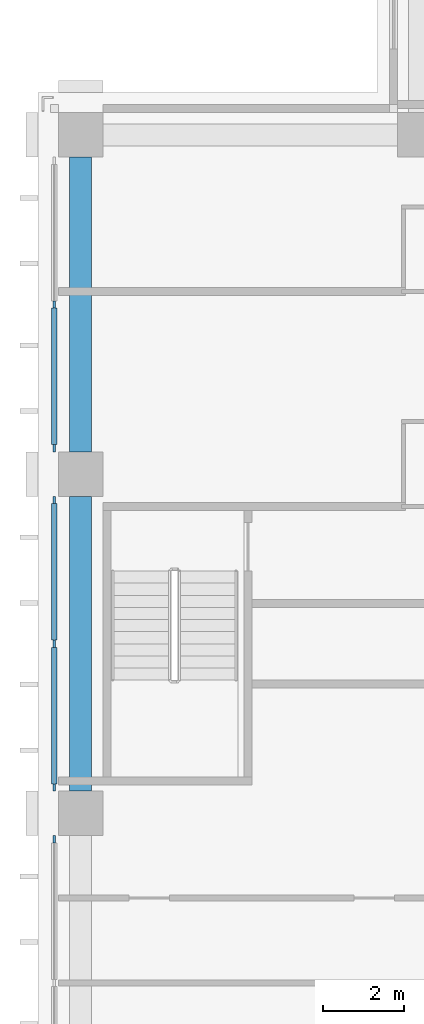
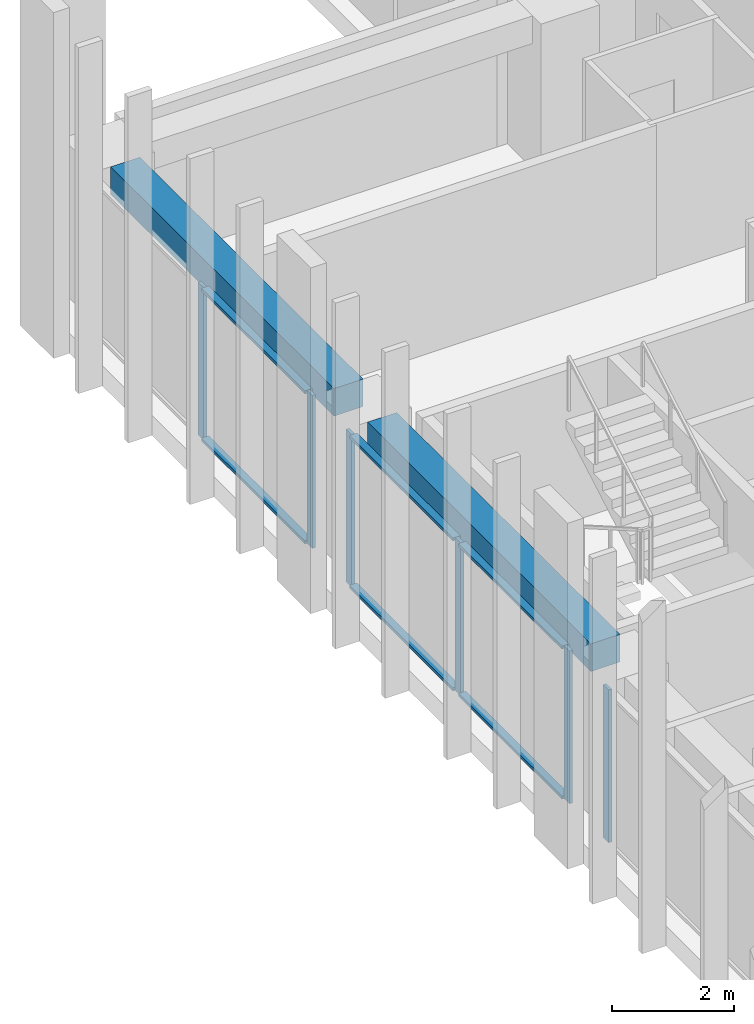
# One storey, part 4 of 17: 12 members, 2 beams, 3 elements without a shape of their own.
"""IFC4 building model written with IfcOpenShell, lengths in metres."""

from ifc_helpers import new_model, si_unit, direction, frame, origin, origin_2d, place, context, subcontext, project, spatial, rectangle, extrude, material, material_profile, profile_set, type_object, element, aggregate, save


model = new_model("IFC4")

# Units and contexts
model_context = context("Model", 3, precision=1e-05, world=origin(), true_north=direction((0.0, 1.0)))
body_context = subcontext(model_context, "Body", "Model", "MODEL_VIEW")
ifc_project = project(units=[si_unit("LENGTHUNIT", "METRE"), si_unit("AREAUNIT", "SQUARE_METRE"), si_unit("VOLUMEUNIT", "CUBIC_METRE"), si_unit("PLANEANGLEUNIT", "RADIAN"), si_unit("MASSUNIT", "GRAM", prefix="KILO")], contexts=[model_context])

# Site, building, storey
site_placement = place(None, origin())
site = spatial("IfcSite", under=ifc_project, at=site_placement, CompositionType="ELEMENT")
building_placement = place(site_placement, origin())
building = spatial("IfcBuilding", under=site, at=building_placement, Name="Vermilion Ogive Tower", CompositionType="ELEMENT")
storey_placement = place(building_placement, frame((0.0, 0.0, 157.25)))
storey = spatial("IfcBuildingStorey", under=building, at=storey_placement, Name="L40", CompositionType="ELEMENT", Elevation=157.25)

# Curtain wall, members
ifc_material_1 = material(Name="Low-iron laminated glazing in aluminium frame", Category="aluminium")
curtain_wall_type = type_object("IfcCurtainWallType", Name="Curtain wall CW7", PredefinedType="NOTDEFINED", material=ifc_material_1)
curtain_wall_1_placement = place(storey_placement, origin())
curtain_wall_1 = element("IfcCurtainWall", 1, at=curtain_wall_1_placement, inside=storey, type_object=curtain_wall_type, Name="Glazed skin W1", PredefinedType="NOTDEFINED")
ifc_material_2 = material(Name="Aluminium mullion", Category="aluminium")
ifc_material_profile_1 = material_profile(ifc_material_2, rectangle(XDim=0.06005859375, YDim=0.179931640625, at=origin_2d()), Name="AL 60x180")
ifc_profile_set_1 = profile_set([ifc_material_profile_1], Name="Aluminium mullion")
member_type_1 = type_object("IfcMemberType", Name="CW7 mullion 60x180", PredefinedType="MULLION", material=ifc_profile_set_1)
member_1_placement = place(storey_placement, frame((-21.64990234375, 8.39990234375, 0.0), z_axis=(0.0, 0.0, 1.0), x_axis=(1.0, 0.0, 0.0)))
member_1 = element("IfcMember", 2, at=member_1_placement, type_object=member_type_1, Name="CW7-W1 mullion 2", PredefinedType="MULLION", context=body_context, shape_type="SweptSolid", body=[
    extrude(rectangle(XDim=0.06005859375, YDim=0.179931640625, at=origin_2d()), origin(), (0.0, 0.0, 1.0), 3.050048828125),
])
member_2_placement = place(storey_placement, frame((-21.64990234375, 4.840087890625, 0.0), z_axis=(0.0, 0.0, 1.0), x_axis=(1.0, 0.0, 0.0)))
member_2 = element("IfcMember", 3, at=member_2_placement, type_object=member_type_1, Name="CW7-W1 mullion 3", PredefinedType="MULLION", context=body_context, shape_type="SweptSolid", body=[
    extrude(rectangle(XDim=0.06005859375, YDim=0.179931640625, at=origin_2d()), origin(), (0.0, 0.0, 1.0), 3.050048828125),
])

curtain_wall_2_placement = place(storey_placement, origin())
curtain_wall_2 = element("IfcCurtainWall", 4, at=curtain_wall_2_placement, inside=storey, type_object=curtain_wall_type, Name="Glazed skin W2", PredefinedType="NOTDEFINED")
member_3_placement = place(storey_placement, frame((-21.64990234375, 3.56005859375, 0.0), z_axis=(0.0, 0.0, 1.0), x_axis=(1.0, 0.0, 0.0)))
member_3 = element("IfcMember", 5, at=member_3_placement, type_object=member_type_1, Name="CW7-W2 mullion 1", PredefinedType="MULLION", context=body_context, shape_type="SweptSolid", body=[
    extrude(rectangle(XDim=0.06005859375, YDim=0.179931640625, at=origin_2d()), origin(), (0.0, 0.0, 1.0), 3.050048828125),
])
member_4_placement = place(storey_placement, frame((-21.64990234375, 0.0, 0.0), z_axis=(0.0, 0.0, 1.0), x_axis=(1.0, 0.0, 0.0)))
member_4 = element("IfcMember", 6, at=member_4_placement, type_object=member_type_1, Name="CW7-W2 mullion 2", PredefinedType="MULLION", context=body_context, shape_type="SweptSolid", body=[
    extrude(rectangle(XDim=0.06005859375, YDim=0.179931640625, at=origin_2d()), origin(), (0.0, 0.0, 1.0), 3.050048828125),
])
member_5_placement = place(storey_placement, frame((-21.64990234375, -3.56005859375, 0.0), z_axis=(0.0, 0.0, 1.0), x_axis=(1.0, 0.0, 0.0)))
member_5 = element("IfcMember", 7, at=member_5_placement, type_object=member_type_1, Name="CW7-W2 mullion 3", PredefinedType="MULLION", context=body_context, shape_type="SweptSolid", body=[
    extrude(rectangle(XDim=0.06005859375, YDim=0.179931640625, at=origin_2d()), origin(), (0.0, 0.0, 1.0), 3.050048828125),
])

# Curtain wall, member
curtain_wall_3_placement = place(storey_placement, origin())
curtain_wall_3 = element("IfcCurtainWall", 8, at=curtain_wall_3_placement, inside=storey, type_object=curtain_wall_type, Name="Glazed skin W3", PredefinedType="NOTDEFINED")
member_6_placement = place(storey_placement, frame((-21.64990234375, -4.840087890625, 0.0), z_axis=(0.0, 0.0, 1.0), x_axis=(1.0, 0.0, 0.0)))
member_6 = element("IfcMember", 9, at=member_6_placement, type_object=member_type_1, Name="CW7-W3 mullion 1", PredefinedType="MULLION", context=body_context, shape_type="SweptSolid", body=[
    extrude(rectangle(XDim=0.06005859375, YDim=0.179931640625, at=origin_2d()), origin(), (0.0, 0.0, 1.0), 3.050048828125),
])
aggregate(curtain_wall_3, [member_6])

# Member
ifc_material_3 = material(Name="Aluminium transom", Category="aluminium")
ifc_material_profile_2 = material_profile(ifc_material_3, rectangle(XDim=0.139892578125, YDim=0.06005859375, at=origin_2d()), Name="AL 60x140")
ifc_profile_set_2 = profile_set([ifc_material_profile_2], Name="Aluminium transom")
member_type_2 = type_object("IfcMemberType", Name="CW7 transom 60x140", PredefinedType="USERDEFINED", material=ifc_profile_set_2)
member_7_placement = place(storey_placement, frame((-21.64990234375, 8.31005859375, 0.030029296875), z_axis=(0.0, -1.0, 0.0), x_axis=(1.0, 0.0, 0.0)))
member_7 = element("IfcMember", 10, at=member_7_placement, type_object=member_type_2, Name="CW7-W1 transom 2.1", ObjectType="TRANSOM", PredefinedType="USERDEFINED", context=body_context, shape_type="SweptSolid", body=[
    extrude(rectangle(XDim=0.139892578125, YDim=0.06005859375, at=origin_2d()), origin(), (0.0, 0.0, 1.0), 3.380126953125),
])

member_8_placement = place(storey_placement, frame((-21.64990234375, 8.31005859375, 3.02001953125), z_axis=(0.0, -1.0, 0.0), x_axis=(1.0, 0.0, 0.0)))
member_8 = element("IfcMember", 11, at=member_8_placement, type_object=member_type_2, Name="CW7-W1 transom 2.2", ObjectType="TRANSOM", PredefinedType="USERDEFINED", context=body_context, shape_type="SweptSolid", body=[
    extrude(rectangle(XDim=0.139892578125, YDim=0.06005859375, at=origin_2d()), origin(), (0.0, 0.0, 1.0), 3.380126953125),
])

aggregate(curtain_wall_1, [member_1, member_2, member_7, member_8])

member_9_placement = place(storey_placement, frame((-21.64990234375, 3.469970703125, 0.030029296875), z_axis=(0.0, -1.0, 0.0), x_axis=(1.0, 0.0, 0.0)))
member_9 = element("IfcMember", 12, at=member_9_placement, type_object=member_type_2, Name="CW7-W2 transom 1.1", ObjectType="TRANSOM", PredefinedType="USERDEFINED", context=body_context, shape_type="SweptSolid", body=[
    extrude(rectangle(XDim=0.139892578125, YDim=0.06005859375, at=origin_2d()), origin(), (0.0, 0.0, 1.0), 3.3798828125),
])

member_10_placement = place(storey_placement, frame((-21.64990234375, 3.469970703125, 3.02001953125), z_axis=(0.0, -1.0, 0.0), x_axis=(1.0, 0.0, 0.0)))
member_10 = element("IfcMember", 13, at=member_10_placement, type_object=member_type_2, Name="CW7-W2 transom 1.2", ObjectType="TRANSOM", PredefinedType="USERDEFINED", context=body_context, shape_type="SweptSolid", body=[
    extrude(rectangle(XDim=0.139892578125, YDim=0.06005859375, at=origin_2d()), origin(), (0.0, 0.0, 1.0), 3.3798828125),
])

member_11_placement = place(storey_placement, frame((-21.64990234375, -0.090087890625, 0.030029296875), z_axis=(0.0, -1.0, 0.0), x_axis=(1.0, 0.0, 0.0)))
member_11 = element("IfcMember", 14, at=member_11_placement, type_object=member_type_2, Name="CW7-W2 transom 2.1", ObjectType="TRANSOM", PredefinedType="USERDEFINED", context=body_context, shape_type="SweptSolid", body=[
    extrude(rectangle(XDim=0.139892578125, YDim=0.06005859375, at=origin_2d()), origin(), (0.0, 0.0, 1.0), 3.3798828125),
])

member_12_placement = place(storey_placement, frame((-21.64990234375, -0.090087890625, 3.02001953125), z_axis=(0.0, -1.0, 0.0), x_axis=(1.0, 0.0, 0.0)))
member_12 = element("IfcMember", 15, at=member_12_placement, type_object=member_type_2, Name="CW7-W2 transom 2.2", ObjectType="TRANSOM", PredefinedType="USERDEFINED", context=body_context, shape_type="SweptSolid", body=[
    extrude(rectangle(XDim=0.139892578125, YDim=0.06005859375, at=origin_2d()), origin(), (0.0, 0.0, 1.0), 3.3798828125),
])

aggregate(curtain_wall_2, [member_3, member_4, member_5, member_9, member_10, member_11, member_12])

# Beams
ifc_material_4 = material(Name="Concrete B45", Category="concrete")
ifc_material_profile_3 = material_profile(ifc_material_4, rectangle(XDim=0.550048828125, YDim=0.550048828125, at=origin_2d()), Name="550 x 550")
ifc_profile_set_3 = profile_set([ifc_material_profile_3], Name="Concrete B45")
beam_type = type_object("IfcBeamType", Name="Edge beam 550 x 550 B45", PredefinedType="BEAM", material=ifc_profile_set_3)
beam_1_placement = place(storey_placement, frame((-21.0, 12.050048828125, 2.77490234375), z_axis=(0.0, -1.0, 0.0), x_axis=(1.0, 0.0, 0.0)))
element("IfcBeam", 16, at=beam_1_placement, inside=storey, type_object=beam_type, Name="L40-EB-13", PredefinedType="BEAM", context=body_context, shape_type="SweptSolid", body=[
    extrude(rectangle(XDim=0.550048828125, YDim=0.550048828125, at=origin_2d()), origin(), (0.0, 0.0, 1.0), 7.300048828125),
])
beam_2_placement = place(storey_placement, frame((-21.0, 3.64990234375, 2.77490234375), z_axis=(0.0, -1.0, 0.0), x_axis=(1.0, 0.0, 0.0)))
element("IfcBeam", 17, at=beam_2_placement, inside=storey, type_object=beam_type, Name="L40-EB-14", PredefinedType="BEAM", context=body_context, shape_type="SweptSolid", body=[
    extrude(rectangle(XDim=0.550048828125, YDim=0.550048828125, at=origin_2d()), origin(), (0.0, 0.0, 1.0), 7.2998046875),
])

save(model, "model.ifc")
